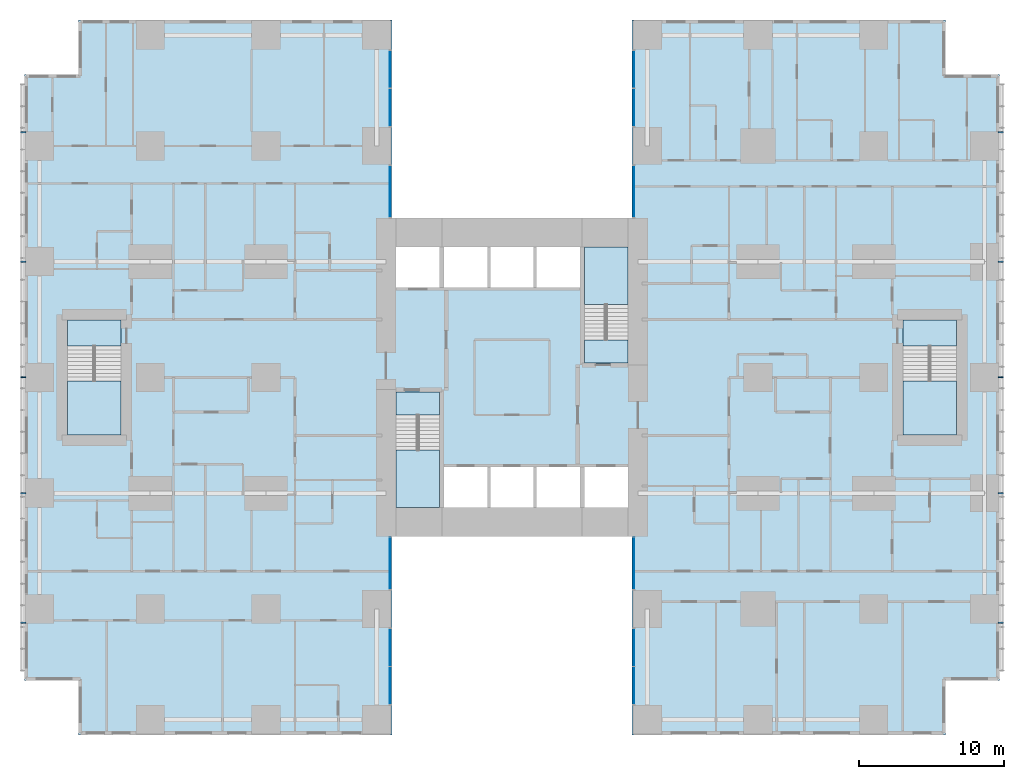
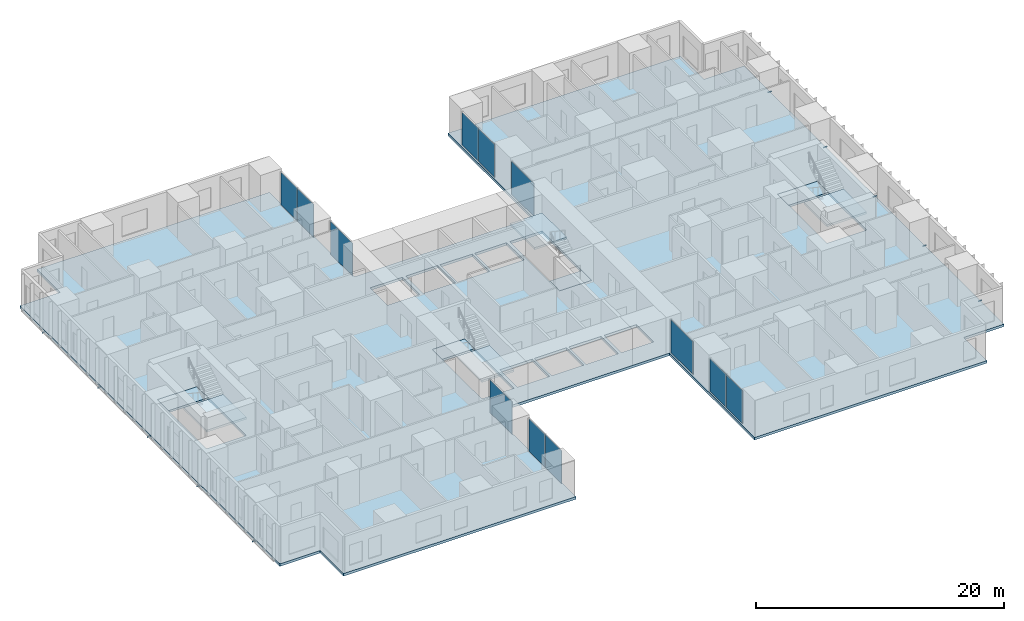
# One storey, part 7 of 20: 12 plates, 10 members, 9 slabs, 12 elements without a shape of their own.
"""IFC4 building model written with IfcOpenShell, lengths in metres."""

from ifc_helpers import new_model, si_unit, direction, frame, origin, origin_2d, place, context, subcontext, project, spatial, polyline, rectangle, hollow_rectangle, outline, extrude, material, layer, layer_set, material_profile, profile_set, type_object, element, aggregate, save


model = new_model("IFC4")

# Units and contexts
model_context = context("Model", 3, precision=1e-05, world=origin(), true_north=direction((0.0, 1.0)))
body_context = subcontext(model_context, "Body", "Model", "MODEL_VIEW")
ifc_project = project(units=[si_unit("LENGTHUNIT", "METRE"), si_unit("AREAUNIT", "SQUARE_METRE"), si_unit("VOLUMEUNIT", "CUBIC_METRE"), si_unit("PLANEANGLEUNIT", "RADIAN"), si_unit("MASSUNIT", "GRAM", prefix="KILO")], contexts=[model_context])

# Site, building, storey
site_placement = place(None, origin())
site = spatial("IfcSite", under=ifc_project, at=site_placement, CompositionType="ELEMENT")
building_placement = place(site_placement, origin())
building = spatial("IfcBuilding", under=site, at=building_placement, Name="Cleftline Residences", CompositionType="ELEMENT")
storey_placement = place(building_placement, frame((0.0, 0.0, 62.0)))
storey = spatial("IfcBuildingStorey", under=building, at=storey_placement, Name="L15", CompositionType="ELEMENT", Elevation=62.0)

# Members
ifc_material_1 = material(Name="Steel S355, hot-dip galvanised", Category="steel")
ifc_material_profile = material_profile(ifc_material_1, hollow_rectangle(XDim=0.10009765625, YDim=0.10009765625, WallThickness=0.008056640625, InnerFilletRadius=0.008056640625, OuterFilletRadius=0.011962890625, at=origin_2d()))
ifc_profile_set = profile_set([ifc_material_profile], Name="Steel S355, hot-dip galvanised")
member_type = type_object("IfcMemberType", Name="BAGUETTE BRACKET SHS 100X100X8", PredefinedType="USERDEFINED", material=ifc_profile_set)
for number, where, z_axis, x_axis, name in (
    (1, (66.60009765625, 7.050048828125, -0.14990234375), (1.0, 0.0, 0.0), (0.0, 1.0, 0.0), "Baguette bracket"),
    (2, (66.60009765625, 16.0, -0.14990234375), (1.0, 0.0, 0.0), (0.0, 1.0, 0.0), "Baguette bracket"),
    (3, (66.60009765625, 24.0, -0.14990234375), (1.0, 0.0, 0.0), (0.0, 1.0, 0.0), "Baguette bracket"),
    (4, (66.60009765625, 32.0, -0.14990234375), (1.0, 0.0, 0.0), (0.0, 1.0, 0.0), "Baguette bracket"),
    (5, (66.60009765625, 40.949951171875, -0.14990234375), (1.0, 0.0, 0.0), (0.0, 1.0, 0.0), "Baguette bracket"),
    (6, (-0.60009765625, 40.949951171875, -0.14990234375), (-1.0, 0.0, 0.0), (0.0, -1.0, 0.0), "Baguette bracket"),
    (7, (-0.60009765625, 32.0, -0.14990234375), (-1.0, 0.0, 0.0), (0.0, -1.0, 0.0), "Baguette bracket"),
    (8, (-0.60009765625, 24.0, -0.14990234375), (-1.0, 0.0, 0.0), (0.0, -1.0, 0.0), "Baguette bracket"),
    (9, (-0.60009765625, 16.0, -0.14990234375), (-1.0, 0.0, 0.0), (0.0, -1.0, 0.0), "Baguette bracket"),
    (10, (-0.60009765625, 7.050048828125, -0.14990234375), (-1.0, 0.0, 0.0), (0.0, -1.0, 0.0), "Baguette bracket"),
):
    element("IfcMember", number, at=place(storey_placement, frame(where, z_axis=z_axis, x_axis=x_axis)), inside=storey, type_object=member_type, Name=name, ObjectType="BAGUETTE BRACKET", PredefinedType="USERDEFINED", context=body_context, shape_type="SweptSolid", body=[
        extrude(hollow_rectangle(XDim=0.10009765625, YDim=0.10009765625, WallThickness=0.008056640625, InnerFilletRadius=0.008056640625, OuterFilletRadius=0.011962890625, at=origin_2d()), origin(), (0.0, 0.0, 1.0), 0.349853515625),
    ])

# Curtain wall, plates
ifc_material_2 = material(Name="Aluminium framed curtain wall", Category="aluminium")
ifc_layer_1 = layer(ifc_material_2, 0.199951171875)
ifc_layer_set_1 = layer_set([ifc_layer_1], Name="CW1 CLEFT GLAZING")
curtain_wall_type = type_object("IfcCurtainWallType", Name="CW1 CLEFT GLAZING", PredefinedType="NOTDEFINED", material=ifc_layer_set_1)
curtain_wall_1_placement = place(storey_placement, origin())
curtain_wall_1 = element("IfcCurtainWall", 11, at=curtain_wall_1_placement, inside=storey, type_object=curtain_wall_type, Name="Curtain wall CW1", PredefinedType="NOTDEFINED")
ifc_material_3 = material(Name="Laminated clear glass", Category="glass")
ifc_layer_2 = layer(ifc_material_3, 0.028076171875)
ifc_layer_set_2 = layer_set([ifc_layer_2], Name="CW1 GLASS PANEL")
plate_type = type_object("IfcPlateType", Name="CW1 GLASS PANEL", PredefinedType="CURTAIN_PANEL", material=ifc_layer_set_2)
plate_1_placement = place(storey_placement, frame((24.574951171875, 2.702392578125, 0.06005859375), z_axis=(0.0, 0.0, 1.0), x_axis=(0.0, 1.0, 0.0)))
plate_1 = element("IfcPlate", 12, at=plate_1_placement, type_object=plate_type, Name="CW1 panel 1.1", PredefinedType="CURTAIN_PANEL", context=body_context, shape_type="SweptSolid", body=[
    extrude(rectangle(XDim=2.5849609375, YDim=0.028076171875, at=origin_2d()), origin(), (0.0, 0.0, 1.0), 3.22998046875),
])
plate_2_placement = place(storey_placement, frame((24.574951171875, 5.347412109375, 0.06005859375), z_axis=(0.0, 0.0, 1.0), x_axis=(0.0, 1.0, 0.0)))
plate_2 = element("IfcPlate", 13, at=plate_2_placement, type_object=plate_type, Name="CW1 panel 2.1", PredefinedType="CURTAIN_PANEL", context=body_context, shape_type="SweptSolid", body=[
    extrude(rectangle(XDim=2.5849609375, YDim=0.028076171875, at=origin_2d()), origin(), (0.0, 0.0, 1.0), 3.22998046875),
])
aggregate(curtain_wall_1, [plate_1, plate_2])

# Curtain wall, plate
curtain_wall_2_placement = place(storey_placement, origin())
curtain_wall_2 = element("IfcCurtainWall", 14, at=curtain_wall_2_placement, inside=storey, type_object=curtain_wall_type, Name="Curtain wall CW1", PredefinedType="NOTDEFINED")
plate_3_placement = place(storey_placement, frame((24.574951171875, 11.14990234375, 0.06005859375), z_axis=(0.0, 0.0, 1.0), x_axis=(0.0, 1.0, 0.0)))
plate_3 = element("IfcPlate", 15, at=plate_3_placement, type_object=plate_type, Name="CW1 panel 1.1", PredefinedType="CURTAIN_PANEL", context=body_context, shape_type="SweptSolid", body=[
    extrude(rectangle(XDim=3.580078125, YDim=0.028076171875, at=origin_2d()), origin(), (0.0, 0.0, 1.0), 3.22998046875),
])
aggregate(curtain_wall_2, [plate_3])

curtain_wall_3_placement = place(storey_placement, origin())
curtain_wall_3 = element("IfcCurtainWall", 16, at=curtain_wall_3_placement, inside=storey, type_object=curtain_wall_type, Name="Curtain wall CW1", PredefinedType="NOTDEFINED")
plate_4_placement = place(storey_placement, frame((41.425048828125, 11.14990234375, 0.06005859375), z_axis=(0.0, 0.0, 1.0), x_axis=(0.0, -1.0, 0.0)))
plate_4 = element("IfcPlate", 17, at=plate_4_placement, type_object=plate_type, Name="CW1 panel 1.1", PredefinedType="CURTAIN_PANEL", context=body_context, shape_type="SweptSolid", body=[
    extrude(rectangle(XDim=3.580078125, YDim=0.028076171875, at=origin_2d()), origin(), (0.0, 0.0, 1.0), 3.22998046875),
])
aggregate(curtain_wall_3, [plate_4])

# Curtain wall, plates
curtain_wall_4_placement = place(storey_placement, origin())
curtain_wall_4 = element("IfcCurtainWall", 18, at=curtain_wall_4_placement, inside=storey, type_object=curtain_wall_type, Name="Curtain wall CW1", PredefinedType="NOTDEFINED")
plate_5_placement = place(storey_placement, frame((41.425048828125, 5.347412109375, 0.06005859375), z_axis=(0.0, 0.0, 1.0), x_axis=(0.0, -1.0, 0.0)))
plate_5 = element("IfcPlate", 19, at=plate_5_placement, type_object=plate_type, Name="CW1 panel 1.1", PredefinedType="CURTAIN_PANEL", context=body_context, shape_type="SweptSolid", body=[
    extrude(rectangle(XDim=2.5849609375, YDim=0.028076171875, at=origin_2d()), origin(), (0.0, 0.0, 1.0), 3.22998046875),
])
plate_6_placement = place(storey_placement, frame((41.425048828125, 2.702392578125, 0.06005859375), z_axis=(0.0, 0.0, 1.0), x_axis=(0.0, -1.0, 0.0)))
plate_6 = element("IfcPlate", 20, at=plate_6_placement, type_object=plate_type, Name="CW1 panel 2.1", PredefinedType="CURTAIN_PANEL", context=body_context, shape_type="SweptSolid", body=[
    extrude(rectangle(XDim=2.5849609375, YDim=0.028076171875, at=origin_2d()), origin(), (0.0, 0.0, 1.0), 3.22998046875),
])
aggregate(curtain_wall_4, [plate_5, plate_6])

curtain_wall_5_placement = place(storey_placement, origin())
curtain_wall_5 = element("IfcCurtainWall", 21, at=curtain_wall_5_placement, inside=storey, type_object=curtain_wall_type, Name="Curtain wall CW1", PredefinedType="NOTDEFINED")
plate_7_placement = place(storey_placement, frame((41.425048828125, 45.297607421875, 0.06005859375), z_axis=(0.0, 0.0, 1.0), x_axis=(0.0, -1.0, 0.0)))
plate_7 = element("IfcPlate", 22, at=plate_7_placement, type_object=plate_type, Name="CW1 panel 1.1", PredefinedType="CURTAIN_PANEL", context=body_context, shape_type="SweptSolid", body=[
    extrude(rectangle(XDim=2.5849609375, YDim=0.028076171875, at=origin_2d()), origin(), (0.0, 0.0, 1.0), 3.22998046875),
])
plate_8_placement = place(storey_placement, frame((41.425048828125, 42.652587890625, 0.06005859375), z_axis=(0.0, 0.0, 1.0), x_axis=(0.0, -1.0, 0.0)))
plate_8 = element("IfcPlate", 23, at=plate_8_placement, type_object=plate_type, Name="CW1 panel 2.1", PredefinedType="CURTAIN_PANEL", context=body_context, shape_type="SweptSolid", body=[
    extrude(rectangle(XDim=2.5849609375, YDim=0.028076171875, at=origin_2d()), origin(), (0.0, 0.0, 1.0), 3.22998046875),
])
aggregate(curtain_wall_5, [plate_7, plate_8])

# Curtain wall, plate
curtain_wall_6_placement = place(storey_placement, origin())
curtain_wall_6 = element("IfcCurtainWall", 24, at=curtain_wall_6_placement, inside=storey, type_object=curtain_wall_type, Name="Curtain wall CW1", PredefinedType="NOTDEFINED")
plate_9_placement = place(storey_placement, frame((41.425048828125, 36.85009765625, 0.06005859375), z_axis=(0.0, 0.0, 1.0), x_axis=(0.0, -1.0, 0.0)))
plate_9 = element("IfcPlate", 25, at=plate_9_placement, type_object=plate_type, Name="CW1 panel 1.1", PredefinedType="CURTAIN_PANEL", context=body_context, shape_type="SweptSolid", body=[
    extrude(rectangle(XDim=3.580078125, YDim=0.028076171875, at=origin_2d()), origin(), (0.0, 0.0, 1.0), 3.22998046875),
])
aggregate(curtain_wall_6, [plate_9])

curtain_wall_7_placement = place(storey_placement, origin())
curtain_wall_7 = element("IfcCurtainWall", 26, at=curtain_wall_7_placement, inside=storey, type_object=curtain_wall_type, Name="Curtain wall CW1", PredefinedType="NOTDEFINED")
plate_10_placement = place(storey_placement, frame((24.574951171875, 36.85009765625, 0.06005859375), z_axis=(0.0, 0.0, 1.0), x_axis=(0.0, 1.0, 0.0)))
plate_10 = element("IfcPlate", 27, at=plate_10_placement, type_object=plate_type, Name="CW1 panel 1.1", PredefinedType="CURTAIN_PANEL", context=body_context, shape_type="SweptSolid", body=[
    extrude(rectangle(XDim=3.580078125, YDim=0.028076171875, at=origin_2d()), origin(), (0.0, 0.0, 1.0), 3.22998046875),
])
aggregate(curtain_wall_7, [plate_10])

# Curtain wall, plates
curtain_wall_8_placement = place(storey_placement, origin())
curtain_wall_8 = element("IfcCurtainWall", 28, at=curtain_wall_8_placement, inside=storey, type_object=curtain_wall_type, Name="Curtain wall CW1", PredefinedType="NOTDEFINED")
plate_11_placement = place(storey_placement, frame((24.574951171875, 42.652587890625, 0.06005859375), z_axis=(0.0, 0.0, 1.0), x_axis=(0.0, 1.0, 0.0)))
plate_11 = element("IfcPlate", 29, at=plate_11_placement, type_object=plate_type, Name="CW1 panel 1.1", PredefinedType="CURTAIN_PANEL", context=body_context, shape_type="SweptSolid", body=[
    extrude(rectangle(XDim=2.5849609375, YDim=0.028076171875, at=origin_2d()), origin(), (0.0, 0.0, 1.0), 3.22998046875),
])
plate_12_placement = place(storey_placement, frame((24.574951171875, 45.297607421875, 0.06005859375), z_axis=(0.0, 0.0, 1.0), x_axis=(0.0, 1.0, 0.0)))
plate_12 = element("IfcPlate", 30, at=plate_12_placement, type_object=plate_type, Name="CW1 panel 2.1", PredefinedType="CURTAIN_PANEL", context=body_context, shape_type="SweptSolid", body=[
    extrude(rectangle(XDim=2.5849609375, YDim=0.028076171875, at=origin_2d()), origin(), (0.0, 0.0, 1.0), 3.22998046875),
])
aggregate(curtain_wall_8, [plate_11, plate_12])

# Slab
ifc_material_4 = material(Name="Concrete B45", Category="concrete")
ifc_layer_3 = layer(ifc_material_4, 0.25)
ifc_layer_set_3 = layer_set([ifc_layer_3], Name="FLOOR SLAB 250")
slab_type_1 = type_object("IfcSlabType", Name="FLOOR SLAB 250", PredefinedType="FLOOR", material=ifc_layer_set_3)
slab_1_placement = place(storey_placement, frame((0.0, 0.0, -0.25)))
element("IfcSlab", 31, at=slab_1_placement, inside=storey, type_object=slab_type_1, Name="Floor slab L15", PredefinedType="FLOOR", context=body_context, shape_type="SweptSolid", body=[
    extrude(outline(polyline([(24.699951171875, 13.0), (41.300048828125, 13.0), (41.300048828125, -0.699951171875), (62.949951171875, -0.699951171875), (62.949951171875, 3.050048828125), (66.699951171875, 3.050048828125), (66.699951171875, 44.949951171875), (62.949951171875, 44.949951171875), (62.949951171875, 48.699951171875), (41.300048828125, 48.699951171875), (41.300048828125, 35.0), (24.699951171875, 35.0), (24.699951171875, 48.699951171875), (3.050048828125, 48.699951171875), (3.050048828125, 44.949951171875), (-0.699951171875, 44.949951171875), (-0.699951171875, 3.050048828125), (3.050048828125, 3.050048828125), (3.050048828125, -0.699951171875), (24.699951171875, -0.699951171875), (24.699951171875, 13.0)]), holes=[polyline([(28.0, 15.0), (28.0, 23.0), (25.0, 23.0), (25.0, 15.0), (28.0, 15.0)]), polyline([(41.0, 25.0), (41.0, 33.0), (38.0, 33.0), (38.0, 25.0), (41.0, 25.0)]), polyline([(28.0, 30.199951171875), (28.0, 33.0), (25.0, 33.0), (25.0, 30.199951171875), (28.0, 30.199951171875)]), polyline([(41.0, 15.0), (41.0, 17.800048828125), (38.0, 17.800048828125), (38.0, 15.0), (41.0, 15.0)]), polyline([(31.300048828125, 15.0), (31.300048828125, 17.800048828125), (28.300048828125, 17.800048828125), (28.300048828125, 15.0), (31.300048828125, 15.0)]), polyline([(34.5, 15.0), (34.5, 17.800048828125), (31.5, 17.800048828125), (31.5, 15.0), (34.5, 15.0)]), polyline([(37.699951171875, 15.0), (37.699951171875, 17.800048828125), (34.699951171875, 17.800048828125), (34.699951171875, 15.0), (37.699951171875, 15.0)]), polyline([(31.300048828125, 30.199951171875), (31.300048828125, 33.0), (28.300048828125, 33.0), (28.300048828125, 30.199951171875), (31.300048828125, 30.199951171875)]), polyline([(34.5, 30.199951171875), (34.5, 33.0), (31.5, 33.0), (31.5, 30.199951171875), (34.5, 30.199951171875)]), polyline([(37.699951171875, 30.199951171875), (37.699951171875, 33.0), (34.699951171875, 33.0), (34.699951171875, 30.199951171875), (37.699951171875, 30.199951171875)]), polyline([(63.72509765625, 20.02490234375), (63.72509765625, 27.97509765625), (60.02490234375, 27.97509765625), (60.02490234375, 20.02490234375), (63.72509765625, 20.02490234375)]), polyline([(5.97509765625, 20.02490234375), (5.97509765625, 27.97509765625), (2.27490234375, 27.97509765625), (2.27490234375, 20.02490234375), (5.97509765625, 20.02490234375)])]), origin(), (0.0, 0.0, 1.0), 0.25),
])

# Stair, slabs
ifc_material_5 = material(Name="Concrete B45, stone treads", Category="masonry")
stair_type_1 = type_object("IfcStairType", Name="STAIR A 1450 WIDE 180 RISER", PredefinedType="HALF_TURN_STAIR", material=ifc_material_5)
stair_1_placement = place(storey_placement, origin())
stair_1 = element("IfcStair", 32, at=stair_1_placement, inside=storey, type_object=stair_type_1, Name="Stair A L15", PredefinedType="HALF_TURN_STAIR")
ifc_material_6 = material(Name="Concrete B45", Category="concrete")
ifc_layer_4 = layer(ifc_material_6, 0.199951171875)
ifc_layer_set_4 = layer_set([ifc_layer_4], Name="STAIR LANDING 200")
slab_type_2 = type_object("IfcSlabType", Name="STAIR LANDING 200", PredefinedType="LANDING", material=ifc_layer_set_4)
slab_2_placement = place(storey_placement, frame((0.0, 0.0, -0.199951171875)))
slab_2 = element("IfcSlab", 33, at=slab_2_placement, type_object=slab_type_2, Name="ST-A landing 1", PredefinedType="LANDING", context=body_context, shape_type="SweptSolid", body=[
    extrude(outline(polyline([(25.0, 21.39990234375), (28.0, 21.39990234375), (28.0, 23.0), (25.0, 23.0), (25.0, 21.39990234375)])), origin(), (0.0, 0.0, 1.0), 0.199951171875),
])
slab_3_placement = place(storey_placement, frame((0.0, 0.0, 1.60009765625)))
slab_3 = element("IfcSlab", 34, at=slab_3_placement, type_object=slab_type_2, Name="ST-A landing 2", PredefinedType="LANDING", context=body_context, shape_type="SweptSolid", body=[
    extrude(outline(polyline([(25.0, 15.0), (28.0, 15.0), (28.0, 18.969970703125), (25.0, 18.969970703125), (25.0, 15.0)])), origin(), (0.0, 0.0, 1.0), 0.199951171875),
])
aggregate(stair_1, [slab_2, slab_3])

ifc_material_7 = material(Name="Concrete B45, stone treads", Category="masonry")
stair_type_2 = type_object("IfcStairType", Name="STAIR B 1450 WIDE 180 RISER", PredefinedType="HALF_TURN_STAIR", material=ifc_material_7)
stair_2_placement = place(storey_placement, origin())
stair_2 = element("IfcStair", 35, at=stair_2_placement, inside=storey, type_object=stair_type_2, Name="Stair B L15", PredefinedType="HALF_TURN_STAIR")
slab_4_placement = place(storey_placement, frame((0.0, 0.0, -0.199951171875)))
slab_4 = element("IfcSlab", 36, at=slab_4_placement, type_object=slab_type_2, Name="ST-B landing 1", PredefinedType="LANDING", context=body_context, shape_type="SweptSolid", body=[
    extrude(outline(polyline([(38.0, 25.0), (41.0, 25.0), (41.0, 26.60009765625), (38.0, 26.60009765625), (38.0, 25.0)])), origin(), (0.0, 0.0, 1.0), 0.199951171875),
])
slab_5_placement = place(storey_placement, frame((0.0, 0.0, 1.60009765625)))
slab_5 = element("IfcSlab", 37, at=slab_5_placement, type_object=slab_type_2, Name="ST-B landing 2", PredefinedType="LANDING", context=body_context, shape_type="SweptSolid", body=[
    extrude(outline(polyline([(38.0, 29.030029296875), (41.0, 29.030029296875), (41.0, 33.0), (38.0, 33.0), (38.0, 29.030029296875)])), origin(), (0.0, 0.0, 1.0), 0.199951171875),
])
aggregate(stair_2, [slab_4, slab_5])

ifc_material_8 = material(Name="Concrete B45, stone treads", Category="masonry")
stair_type_3 = type_object("IfcStairType", Name="STAIR E 1800 WIDE 180 RISER", PredefinedType="HALF_TURN_STAIR", material=ifc_material_8)
stair_3_placement = place(storey_placement, origin())
stair_3 = element("IfcStair", 38, at=stair_3_placement, inside=storey, type_object=stair_type_3, Name="Stair E L15", PredefinedType="HALF_TURN_STAIR")
slab_6_placement = place(storey_placement, frame((0.0, 0.0, -0.199951171875)))
slab_6 = element("IfcSlab", 39, at=slab_6_placement, type_object=slab_type_2, Name="ST-E landing 1", PredefinedType="LANDING", context=body_context, shape_type="SweptSolid", body=[
    extrude(outline(polyline([(60.02490234375, 26.175048828125), (63.72509765625, 26.175048828125), (63.72509765625, 27.97509765625), (60.02490234375, 27.97509765625), (60.02490234375, 26.175048828125)])), origin(), (0.0, 0.0, 1.0), 0.199951171875),
])
slab_7_placement = place(storey_placement, frame((0.0, 0.0, 1.60009765625)))
slab_7 = element("IfcSlab", 40, at=slab_7_placement, type_object=slab_type_2, Name="ST-E landing 2", PredefinedType="LANDING", context=body_context, shape_type="SweptSolid", body=[
    extrude(outline(polyline([(60.02490234375, 20.02490234375), (63.72509765625, 20.02490234375), (63.72509765625, 23.7451171875), (60.02490234375, 23.7451171875), (60.02490234375, 20.02490234375)])), origin(), (0.0, 0.0, 1.0), 0.199951171875),
])
aggregate(stair_3, [slab_6, slab_7])

ifc_material_9 = material(Name="Concrete B45, stone treads", Category="masonry")
stair_type_4 = type_object("IfcStairType", Name="STAIR W 1800 WIDE 180 RISER", PredefinedType="HALF_TURN_STAIR", material=ifc_material_9)
stair_4_placement = place(storey_placement, origin())
stair_4 = element("IfcStair", 41, at=stair_4_placement, inside=storey, type_object=stair_type_4, Name="Stair W L15", PredefinedType="HALF_TURN_STAIR")
slab_8_placement = place(storey_placement, frame((0.0, 0.0, -0.199951171875)))
slab_8 = element("IfcSlab", 42, at=slab_8_placement, type_object=slab_type_2, Name="ST-W landing 1", PredefinedType="LANDING", context=body_context, shape_type="SweptSolid", body=[
    extrude(outline(polyline([(2.27490234375, 26.175048828125), (5.97509765625, 26.175048828125), (5.97509765625, 27.97509765625), (2.27490234375, 27.97509765625), (2.27490234375, 26.175048828125)])), origin(), (0.0, 0.0, 1.0), 0.199951171875),
])
slab_9_placement = place(storey_placement, frame((0.0, 0.0, 1.60009765625)))
slab_9 = element("IfcSlab", 43, at=slab_9_placement, type_object=slab_type_2, Name="ST-W landing 2", PredefinedType="LANDING", context=body_context, shape_type="SweptSolid", body=[
    extrude(outline(polyline([(2.27490234375, 20.02490234375), (5.97509765625, 20.02490234375), (5.97509765625, 23.7451171875), (2.27490234375, 23.7451171875), (2.27490234375, 20.02490234375)])), origin(), (0.0, 0.0, 1.0), 0.199951171875),
])
aggregate(stair_4, [slab_8, slab_9])

save(model, "model.ifc")
